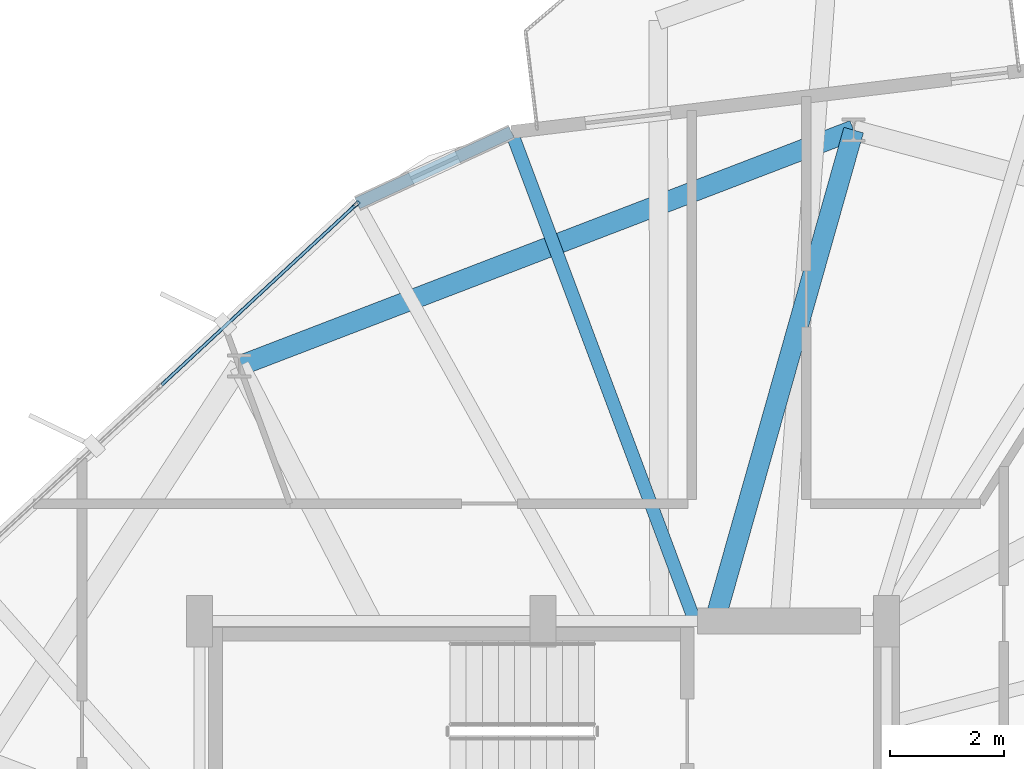
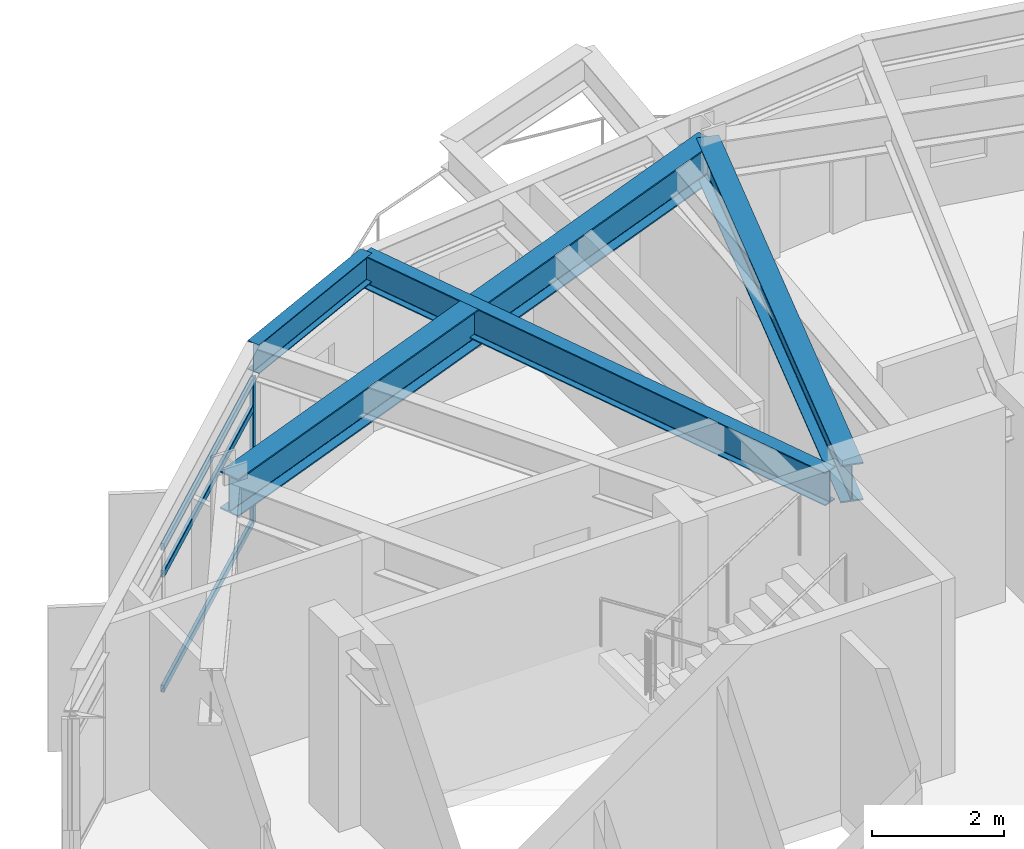
# One storey, part 13 of 25: 4 beams, 4 members, 1 element without a shape of its own.
"""IFC4 building model written with IfcOpenShell, lengths in metres."""

from ifc_helpers import new_model, si_unit, direction, frame, origin, origin_2d, place, context, subcontext, project, spatial, hollow_rectangle, i_section, extrude, material, layer, layer_set, material_profile, profile_set, type_object, element, aggregate, save


model = new_model("IFC4")

# Units and contexts
model_context = context("Model", 3, precision=1e-05, world=origin(), true_north=direction((0.0, 1.0)))
body_context = subcontext(model_context, "Body", "Model", "MODEL_VIEW")
ifc_project = project(units=[si_unit("LENGTHUNIT", "METRE"), si_unit("AREAUNIT", "SQUARE_METRE"), si_unit("VOLUMEUNIT", "CUBIC_METRE"), si_unit("PLANEANGLEUNIT", "RADIAN"), si_unit("MASSUNIT", "GRAM", prefix="KILO")], contexts=[model_context])

# Site, building, storey
site_placement = place(None, origin())
site = spatial("IfcSite", under=ifc_project, at=site_placement, CompositionType="ELEMENT")
building_placement = place(site_placement, origin())
building = spatial("IfcBuilding", under=site, at=building_placement, Name="Soratama Intermodal Tower", CompositionType="ELEMENT")
storey_placement = place(building_placement, frame((0.0, 0.0, 190.60009765625)))
storey = spatial("IfcBuildingStorey", under=building, at=storey_placement, Name="L47", CompositionType="ELEMENT", Elevation=190.60009765625)

# Beams
ifc_material_1 = material(Name="Structural steel ASTM A992 Grade 50", Category="steel")
ifc_material_profile_1 = material_profile(ifc_material_1, i_section(OverallWidth=0.35498046875, OverallDepth=0.695068359375, WebThickness=0.015380859375, FlangeThickness=0.02490234375, FilletRadius=0.01611328125, at=origin_2d()), Name="W27X146")
ifc_profile_set_1 = profile_set([ifc_material_profile_1], Name="Structural steel ASTM A992 Grade 50")
beam_type_1 = type_object("IfcBeamType", Name="BM-RING-W27X146", PredefinedType="BEAM", material=ifc_profile_set_1)
beam_1_placement = place(storey_placement, frame((44.027099609375, 43.574951171875, 2.952392578125), z_axis=(-0.933575304305, -0.358381293026, 0.0), x_axis=(0.358381293026, -0.933575304305, 0.0)))
element("IfcBeam", 1, at=beam_1_placement, inside=storey, type_object=beam_type_1, Name="BM-L47-RING-03", PredefinedType="BEAM", context=body_context, shape_type="SweptSolid", body=[
    extrude(i_section(OverallWidth=0.35498046875, OverallDepth=0.695068359375, WebThickness=0.015380859375, FlangeThickness=0.02490234375, FilletRadius=0.01611328125, at=origin_2d()), origin(), (0.0, 0.0, 1.0), 11.495849609375),
])
beam_2_placement = place(storey_placement, frame((41.60009765625, 35.0, 2.952392578125), z_axis=(0.272335865412, 0.96220225338, 0.0), x_axis=(-0.96220225338, 0.272335865412, 0.0)))
element("IfcBeam", 2, at=beam_2_placement, inside=storey, type_object=beam_type_1, Name="BM-L47-RAD-03", PredefinedType="BEAM", context=body_context, shape_type="SweptSolid", body=[
    extrude(i_section(OverallWidth=0.35498046875, OverallDepth=0.695068359375, WebThickness=0.015380859375, FlangeThickness=0.02490234375, FilletRadius=0.01611328125, at=origin_2d()), origin(), (0.0, 0.0, 1.0), 8.911865234375),
])
ifc_material_2 = material(Name="Structural steel ASTM A992 Grade 50", Category="steel")
ifc_material_profile_2 = material_profile(ifc_material_2, i_section(OverallWidth=0.2099609375, OverallDepth=0.537109375, WebThickness=0.010986328125, FlangeThickness=0.017333984375, FilletRadius=0.012939453125, at=origin_2d()), Name="W21X68")
ifc_profile_set_2 = profile_set([ifc_material_profile_2], Name="Structural steel ASTM A992 Grade 50")
beam_type_2 = type_object("IfcBeamType", Name="BM-SPN-W21X68", PredefinedType="SPANDREL", material=ifc_profile_set_2)
beam_3_placement = place(storey_placement, frame((38.051025390625, 43.5419921875, 3.031494140625), z_axis=(-0.907501185291, -0.420049519337, 0.0), x_axis=(0.420049519337, -0.907501185291, 0.0)))
element("IfcBeam", 3, at=beam_3_placement, inside=storey, type_object=beam_type_2, Name="BS-L47-CRN02", PredefinedType="SPANDREL", context=body_context, shape_type="SweptSolid", body=[
    extrude(i_section(OverallWidth=0.2099609375, OverallDepth=0.537109375, WebThickness=0.010986328125, FlangeThickness=0.017333984375, FilletRadius=0.012939453125, at=origin_2d()), origin(), (0.0, 0.0, 1.0), 2.966552734375),
])
ifc_material_3 = material(Name="Structural steel ASTM A992 Grade 50", Category="steel")
ifc_material_profile_3 = material_profile(ifc_material_3, i_section(OverallWidth=0.22900390625, OverallDepth=0.612060546875, WebThickness=0.011962890625, FlangeThickness=0.01953125, FilletRadius=0.012939453125, at=origin_2d()), Name="W24X84")
ifc_profile_set_3 = profile_set([ifc_material_profile_3], Name="Structural steel ASTM A992 Grade 50")
beam_type_3 = type_object("IfcBeamType", Name="BM-TIE-W24X84", PredefinedType="BEAM", material=ifc_profile_set_3)
beam_4_placement = place(storey_placement, frame((41.238037109375, 35.037109375, 2.993896484375), z_axis=(-0.350899549168, 0.936413106697, 0.0), x_axis=(-0.936413106697, -0.350899549168, 0.0)))
element("IfcBeam", 4, at=beam_4_placement, inside=storey, type_object=beam_type_3, Name="BM-L47-TIE1-02", PredefinedType="BEAM", context=body_context, shape_type="SweptSolid", body=[
    extrude(i_section(OverallWidth=0.22900390625, OverallDepth=0.612060546875, WebThickness=0.011962890625, FlangeThickness=0.01953125, FilletRadius=0.012939453125, at=origin_2d()), origin(), (0.0, 0.0, 1.0), 9.08251953125),
])

# Curtain wall, members
ifc_material_4 = material(Name="Double-glazed aluminium curtain wall", Category="aluminium")
ifc_layer = layer(ifc_material_4, 0.159912109375)
ifc_layer_set = layer_set([ifc_layer], Name="Double-glazed aluminium curtain wall")
curtain_wall_type = type_object("IfcCurtainWallType", Name="CW-SYS-5", PredefinedType="NOTDEFINED", material=ifc_layer_set)
curtain_wall_placement = place(storey_placement, origin())
curtain_wall = element("IfcCurtainWall", 5, at=curtain_wall_placement, inside=storey, type_object=curtain_wall_type, Name="L47 Faceted Curtain Wall F03", PredefinedType="NOTDEFINED")
ifc_material_5 = material(Name="Anodised aluminium AA 6063-T6", Category="aluminium")
ifc_material_profile_4 = material_profile(ifc_material_5, hollow_rectangle(XDim=0.06494140625, YDim=0.139892578125, WallThickness=0.0048828125, InnerFilletRadius=0.0048828125, OuterFilletRadius=0.010009765625, at=origin_2d()), Name="CWM140X65X5")
ifc_profile_set_4 = profile_set([ifc_material_profile_4], Name="Anodised aluminium AA 6063-T6")
member_type_1 = type_object("IfcMemberType", Name="MT-CWM-5", PredefinedType="MULLION", material=ifc_profile_set_4)
member_1_placement = place(storey_placement, frame((35.3369140625, 42.275390625, 0.0), z_axis=(0.0, 0.0, 1.0), x_axis=(0.679958318998, -0.733250765036, 0.0)))
member_1 = element("IfcMember", 6, at=member_1_placement, type_object=member_type_1, Name="CW-5 mullion 1", PredefinedType="MULLION", context=body_context, shape_type="SweptSolid", body=[
    extrude(hollow_rectangle(XDim=0.06494140625, YDim=0.139892578125, WallThickness=0.0048828125, InnerFilletRadius=0.0048828125, OuterFilletRadius=0.010009765625, at=origin_2d()), origin(), (0.0, 0.0, 1.0), 2.678955078125),
])
ifc_material_6 = material(Name="Anodised aluminium AA 6063-T6", Category="aluminium")
ifc_material_profile_5 = material_profile(ifc_material_6, hollow_rectangle(XDim=0.06005859375, YDim=0.1298828125, WallThickness=0.0048828125, InnerFilletRadius=0.0048828125, OuterFilletRadius=0.010009765625, at=origin_2d()), Name="CWT130X60X5")
ifc_profile_set_5 = profile_set([ifc_material_profile_5], Name="Anodised aluminium AA 6063-T6")
member_type_2 = type_object("IfcMemberType", Name="TT-CWT-2", PredefinedType="USERDEFINED", material=ifc_profile_set_5)
member_2_placement = place(storey_placement, frame((35.31494140625, 42.255126953125, 0.02978515625), z_axis=(-0.733241220534, -0.679968611415, 0.0), x_axis=(0.679968611415, -0.733241220534, 0.0)))
member_2 = element("IfcMember", 7, at=member_2_placement, type_object=member_type_2, Name="CW-5 transom 1.1", ObjectType="TRANSOM", PredefinedType="USERDEFINED", context=body_context, shape_type="SweptSolid", body=[
    extrude(hollow_rectangle(XDim=0.06005859375, YDim=0.1298828125, WallThickness=0.0048828125, InnerFilletRadius=0.0048828125, OuterFilletRadius=0.010009765625, at=origin_2d()), origin(), (0.0, 0.0, 1.0), 4.60107421875),
])
member_3_placement = place(storey_placement, frame((35.31494140625, 42.255126953125, 2.14990234375), z_axis=(-0.733241220534, -0.679968611415, 0.0), x_axis=(0.679968611415, -0.733241220534, 0.0)))
member_3 = element("IfcMember", 8, at=member_3_placement, type_object=member_type_2, Name="CW-5 transom 1.2", ObjectType="TRANSOM", PredefinedType="USERDEFINED", context=body_context, shape_type="SweptSolid", body=[
    extrude(hollow_rectangle(XDim=0.06005859375, YDim=0.1298828125, WallThickness=0.0048828125, InnerFilletRadius=0.0048828125, OuterFilletRadius=0.010009765625, at=origin_2d()), origin(), (0.0, 0.0, 1.0), 4.60107421875),
])
member_4_placement = place(storey_placement, frame((35.31494140625, 42.255126953125, 2.64892578125), z_axis=(-0.733241220534, -0.679968611415, 0.0), x_axis=(0.679968611415, -0.733241220534, 0.0)))
member_4 = element("IfcMember", 9, at=member_4_placement, type_object=member_type_2, Name="CW-5 transom 1.3", ObjectType="TRANSOM", PredefinedType="USERDEFINED", context=body_context, shape_type="SweptSolid", body=[
    extrude(hollow_rectangle(XDim=0.06005859375, YDim=0.1298828125, WallThickness=0.0048828125, InnerFilletRadius=0.0048828125, OuterFilletRadius=0.010009765625, at=origin_2d()), origin(), (0.0, 0.0, 1.0), 4.60107421875),
])
aggregate(curtain_wall, [member_1, member_2, member_3, member_4])

save(model, "model.ifc")
